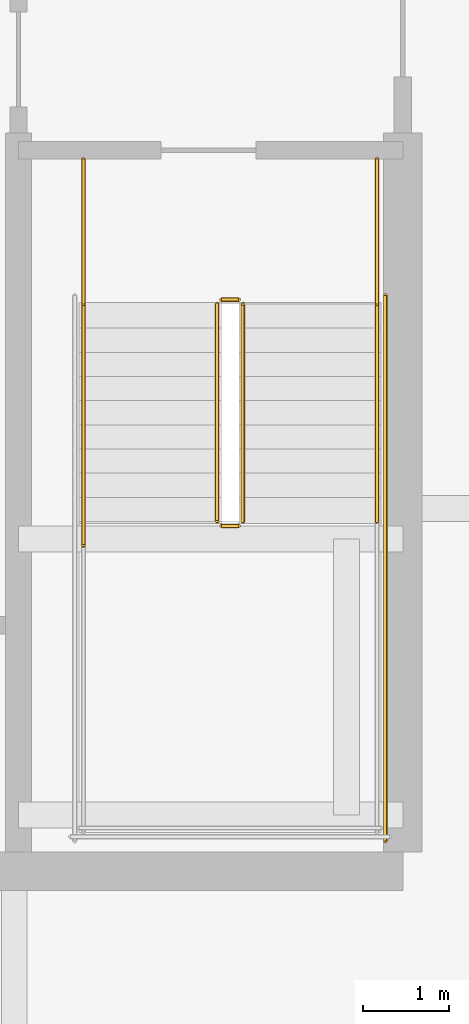
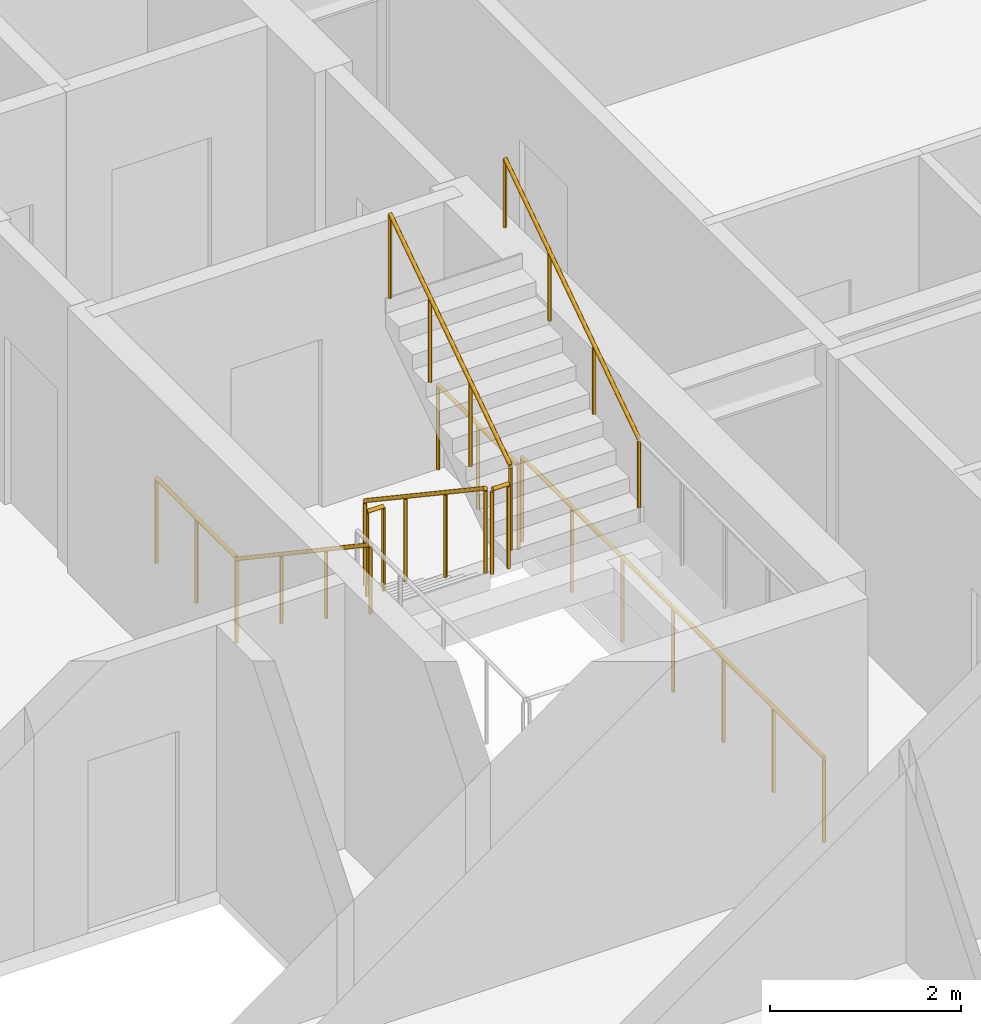
# One storey, part 37 of 40: 9 railings.
"""IFC4 building model written with IfcOpenShell, lengths in metres."""

import ifcopenshell
import ifcopenshell.guid

model = None  # the IFC model being written
_history = None  # IfcOwnerHistory: only IFC2X3 demands one
_inside = {}  # id of a spatial element -> (the spatial element, [elements in it])
_under = {}  # id of a project, library or spatial element -> (it, [spatial elements below it])
_declared = {}  # id of a project -> (the project, [libraries it declares])
_typed = {}  # id of a type object -> (the type object, [elements of that type])
_made_of = {}  # id of a material, layer set ... -> (it, [elements and type objects made of it])


def new_model(schema):
    """Start an empty IFC model of exactly this schema.

    Asked for "IFC4X3", IfcOpenShell would pick the latest addendum, in which some entities
    have other attributes; the version numbers below select the first issue.
    IFC2X3 requires an IfcOwnerHistory on every rooted entity: one is made here for all.
    """
    global model, _history
    if schema == "IFC4X3":
        model = ifcopenshell.file(schema_version=(4, 3, 0, 0))
    else:
        model = ifcopenshell.file(schema=schema)
    _inside.clear()
    _under.clear()
    _declared.clear()
    _typed.clear()
    _made_of.clear()
    _history = None
    if model.schema == "IFC2X3":
        org = make("IfcOrganization", Name="unknown")
        user = make(
            "IfcPersonAndOrganization",
            ThePerson=make("IfcPerson", FamilyName="unknown"),
            TheOrganization=org,
        )
        app = make(
            "IfcApplication",
            ApplicationDeveloper=org,
            Version="unknown",
            ApplicationFullName="unknown",
            ApplicationIdentifier="unknown",
        )
        _history = make(
            "IfcOwnerHistory",
            OwningUser=user,
            OwningApplication=app,
            ChangeAction="ADDED",
            CreationDate=0,
        )
    return model


def make(cls, **values):
    """One entity of the class cls with the attributes given. An attribute that is None is left unset."""
    return model.create_entity(
        cls, **{name: value for name, value in values.items() if value is not None}
    )


def rooted(cls, **values):
    """An entity with a GlobalId (a new one), such as an element, a storey or a relation."""
    return make(cls, GlobalId=ifcopenshell.guid.new(), OwnerHistory=_history, **values)


def si_unit(unit_type, name, prefix=None):
    """IfcSIUnit, for example si_unit("LENGTHUNIT", "METRE", prefix="MILLI")."""
    return make("IfcSIUnit", UnitType=unit_type, Prefix=prefix, Name=name)


def assignment(units):
    """IfcUnitAssignment: the units of a project."""
    return None if units is None else make("IfcUnitAssignment", Units=units)


def point(xyz):
    """IfcCartesianPoint."""
    return None if xyz is None else make("IfcCartesianPoint", Coordinates=xyz)


def direction(xyz):
    """IfcDirection."""
    return None if xyz is None else make("IfcDirection", DirectionRatios=xyz)


def frame(location, z_axis=None, x_axis=None):
    """IfcAxis2Placement3D, a coordinate frame: its origin and axes. An axis left out is left unset."""
    return make(
        "IfcAxis2Placement3D",
        Location=point(location),
        Axis=direction(z_axis),
        RefDirection=direction(x_axis),
    )


def frame_2d(location, x_axis=None):
    """IfcAxis2Placement2D, a coordinate frame in the plane: its origin and x axis."""
    return make(
        "IfcAxis2Placement2D", Location=point(location), RefDirection=direction(x_axis)
    )


def origin():
    """The frame at (0, 0, 0) with its axes left unset."""
    return frame((0.0, 0.0, 0.0))


def origin_2d():
    """The frame at (0, 0) in the plane with its x axis left unset."""
    return frame_2d((0.0, 0.0))


def place(relative_to, where):
    """IfcLocalPlacement: puts the frame where relative to a parent placement (None: the world)."""
    return make(
        "IfcLocalPlacement", PlacementRelTo=relative_to, RelativePlacement=where
    )


def context(
    kind, dimensions, precision=None, world=None, true_north=None, identifier=None
):
    """IfcGeometricRepresentationContext, for example the 3D "Model" context."""
    return make(
        "IfcGeometricRepresentationContext",
        ContextIdentifier=identifier,
        ContextType=kind,
        CoordinateSpaceDimension=dimensions,
        Precision=precision,
        WorldCoordinateSystem=world,
        TrueNorth=true_north,
    )


def subcontext(parent, identifier, kind, view, scale=None):
    """IfcGeometricRepresentationSubContext, for example "Body" below "Model"."""
    return make(
        "IfcGeometricRepresentationSubContext",
        ContextIdentifier=identifier,
        ContextType=kind,
        ParentContext=parent,
        TargetScale=scale,
        TargetView=view,
    )


def project(units=None, contexts=None):
    """IfcProject with its units and contexts."""
    return rooted(
        "IfcProject",
        Name="project",
        RepresentationContexts=contexts,
        UnitsInContext=assignment(units),
    )


def spatial(cls, under=None, at=None, **own):
    """A site, building, storey or space (cls), placed at a placement, below another one or the project."""
    s = rooted(cls, ObjectPlacement=at, **own)
    if under is not None:
        _under.setdefault(under.id(), (under, []))[1].append(s)
    return s


def profile(cls, at=None, kind="AREA", **sizes):
    """A parametric profile (cls). Its sizes go by their IFC names, for example OverallWidth=200.0."""
    return make(cls, ProfileType=kind, Position=at, **sizes)


def circle(**sizes):
    """IfcCircleProfileDef."""
    return profile("IfcCircleProfileDef", **sizes)


def extrude(swept, where, along, depth):
    """IfcExtrudedAreaSolid: the profile swept, set in the frame where, extruded along a direction by depth."""
    return make(
        "IfcExtrudedAreaSolid",
        SweptArea=swept,
        Position=where,
        ExtrudedDirection=direction(along),
        Depth=depth,
    )


def shape(context_of_items, identifier, shape_type, items):
    """IfcShapeRepresentation: the items that make up one representation, for example the "Body"."""
    return make(
        "IfcShapeRepresentation",
        ContextOfItems=context_of_items,
        RepresentationIdentifier=identifier,
        RepresentationType=shape_type,
        Items=items,
    )


def material(Name=None, Category=None):
    """IfcMaterial."""
    return make("IfcMaterial", Name=Name, Category=Category)


def made_of(thing, what):
    """Note that an element or type object is made of a material, layer set ...; save() writes the relation."""
    if what is not None:
        _made_of.setdefault(what.id(), (what, []))[1].append(thing)
    return thing


def type_object(cls, material=None, **own):
    """A type object (cls), such as IfcWallType, which elements share."""
    return made_of(rooted(cls, **own), material)


def element(
    cls,
    number,
    at=None,
    inside=None,
    cuts=None,
    type_object=None,
    material=None,
    context=None,
    identifier="Body",
    shape_type=None,
    held_by="IfcProductDefinitionShape",
    body=None,
    shapes=None,
    **own,
):
    """One element of the class cls, such as IfcWall. Its Tag is "e" and its number.

    at: its placement. inside: the storey or other place that contains it. cuts: it is an
    opening in that element (IfcRelVoidsElement). A single representation is given by context,
    identifier, shape_type and body (its items); several are given by shapes. held_by: the class
    of the entity that holds the representations. save() writes the other relations.
    """
    e = rooted(cls, Tag="e%d" % number, ObjectPlacement=at, **own)
    if body is not None:
        shapes = [shape(context, identifier, shape_type, body)]
    if shapes is not None:
        e.Representation = make(held_by, Representations=shapes)
    if inside is not None:
        _inside.setdefault(inside.id(), (inside, []))[1].append(e)
    if cuts is not None:
        rooted(
            "IfcRelVoidsElement", RelatingBuildingElement=cuts, RelatedOpeningElement=e
        )
    if type_object is not None:
        _typed.setdefault(type_object.id(), (type_object, []))[1].append(e)
    return made_of(e, material)


def aggregate(whole, parts):
    """IfcRelAggregates: a whole, such as a stair, and the parts it consists of."""
    return rooted("IfcRelAggregates", RelatingObject=whole, RelatedObjects=parts)


def save(model, path):
    """Write the relations noted so far, then the file.

    IfcRelAggregates (storeys below a building ...), IfcRelContainedInSpatialStructure (elements
    in a storey), IfcRelDefinesByType, IfcRelAssociatesMaterial and IfcRelDeclares: one each for
    every whole, place, type object, material and project.
    """
    for whole, parts in _under.values():
        aggregate(whole, parts)
    for where, things in _inside.values():
        rooted(
            "IfcRelContainedInSpatialStructure",
            RelatedElements=things,
            RelatingStructure=where,
        )
    for kind, things in _typed.values():
        rooted("IfcRelDefinesByType", RelatedObjects=things, RelatingType=kind)
    for what, things in _made_of.values():
        rooted("IfcRelAssociatesMaterial", RelatedObjects=things, RelatingMaterial=what)
    for by, libraries in _declared.values():
        rooted("IfcRelDeclares", RelatingContext=by, RelatedDefinitions=libraries)
    model.write(path)


model = new_model("IFC4")

# Units and contexts
model_context = context("Model", 3, precision=1e-05, world=origin(), true_north=direction((0.0, 1.0)))
body_context = subcontext(model_context, "Body", "Model", "MODEL_VIEW")
ifc_project = project(units=[si_unit("LENGTHUNIT", "METRE"), si_unit("AREAUNIT", "SQUARE_METRE"), si_unit("VOLUMEUNIT", "CUBIC_METRE"), si_unit("PLANEANGLEUNIT", "RADIAN"), si_unit("MASSUNIT", "GRAM", prefix="KILO")], contexts=[model_context])

# Site, building, storey
site_placement = place(None, origin())
site = spatial("IfcSite", under=ifc_project, at=site_placement, CompositionType="ELEMENT")
building_placement = place(site_placement, origin())
building = spatial("IfcBuilding", under=site, at=building_placement, Name="Serunith Strait Residences", CompositionType="ELEMENT")
storey_placement = place(building_placement, frame((0.0, 0.0, 105.449951171875)))
storey = spatial("IfcBuildingStorey", under=building, at=storey_placement, Name="L26", CompositionType="ELEMENT", Elevation=105.449951171875)

# Railings
ifc_material = material(Name="Brushed stainless steel 316L", Category="steel")
railing_type_1 = type_object("IfcRailingType", Name="RLG-STAIR-GUARD", PredefinedType="BALUSTRADE", material=ifc_material)
railing_1_placement = place(storey_placement, frame((39.25, 23.3701171875, 0.1875)))
element("IfcRailing", 1, at=railing_1_placement, inside=storey, type_object=railing_type_1, Name="L26 ST-2 stair guard 1", PredefinedType="BALUSTRADE", context=body_context, shape_type="SweptSolid", body=[
    extrude(circle(Radius=0.02392578125, at=origin_2d()), frame((0.0, -0.001708984375, 1.0771484375), z_axis=(0.0, -0.830909170722, 0.55640807867), x_axis=(1.0, 0.0, 0.0)), (0.0, 0.0, 1.0), 3.02880859375),
    extrude(circle(Radius=0.02099609375, at=origin_2d()), origin(), (0.0, 0.0, 1.0), 1.050048828125),
    extrude(circle(Radius=0.02099609375, at=origin_2d()), frame((0.0, -0.840087890625, 0.5625)), (0.0, 0.0, 1.0), 1.050048828125),
    extrude(circle(Radius=0.02099609375, at=origin_2d()), frame((0.0, -1.679931640625, 1.125)), (0.0, 0.0, 1.0), 1.050048828125),
    extrude(circle(Radius=0.02099609375, at=origin_2d()), frame((0.0, -2.52001953125, 1.6875)), (0.0, 0.0, 1.0), 1.050048828125),
])
railing_2_placement = place(storey_placement, frame((39.300048828125, 20.800048828125, 1.875)))
element("IfcRailing", 2, at=railing_2_placement, inside=storey, type_object=railing_type_1, Name="L26 ST-2 stair guard 2", PredefinedType="BALUSTRADE", context=body_context, shape_type="SweptSolid", body=[
    extrude(circle(Radius=0.02392578125, at=origin_2d()), frame((0.001953125, 0.0, 1.076171875), z_axis=(1.0, 0.0, 0.0), x_axis=(0.0, 1.0, 0.0)), (0.0, 0.0, 1.0), 0.196044921875),
    extrude(circle(Radius=0.02099609375, at=origin_2d()), origin(), (0.0, 0.0, 1.0), 1.050048828125),
    extrude(circle(Radius=0.02099609375, at=origin_2d()), frame((0.199951171875, 0.0, 0.0)), (0.0, 0.0, 1.0), 1.050048828125),
])
railing_3_placement = place(storey_placement, frame((39.550048828125, 20.85009765625, 2.0625)))
element("IfcRailing", 3, at=railing_3_placement, inside=storey, type_object=railing_type_1, Name="L26 ST-2 stair guard 6", PredefinedType="BALUSTRADE", context=body_context, shape_type="SweptSolid", body=[
    extrude(circle(Radius=0.02392578125, at=origin_2d()), frame((0.0, 0.001708984375, 1.0771484375), z_axis=(0.0, 0.830909170722, 0.55640807867), x_axis=(-1.0, 0.0, 0.0)), (0.0, 0.0, 1.0), 3.02880859375),
    extrude(circle(Radius=0.02099609375, at=origin_2d()), origin(), (0.0, 0.0, 1.0), 1.050048828125),
    extrude(circle(Radius=0.02099609375, at=origin_2d()), frame((0.0, 0.840087890625, 0.5625)), (0.0, 0.0, 1.0), 1.050048828125),
    extrude(circle(Radius=0.02099609375, at=origin_2d()), frame((0.0, 1.679931640625, 1.125)), (0.0, 0.0, 1.0), 1.050048828125),
    extrude(circle(Radius=0.02099609375, at=origin_2d()), frame((0.0, 2.52001953125, 1.6875)), (0.0, 0.0, 1.0), 1.050048828125),
])
railing_4_placement = place(storey_placement, frame((39.300048828125, 23.419921875, 0.0)))
element("IfcRailing", 4, at=railing_4_placement, inside=storey, type_object=railing_type_1, Name="L26 ST-2 stair guard 7", PredefinedType="BALUSTRADE", context=body_context, shape_type="SweptSolid", body=[
    extrude(circle(Radius=0.02392578125, at=origin_2d()), frame((0.001953125, 0.0, 1.076171875), z_axis=(1.0, 0.0, 0.0), x_axis=(0.0, 1.0, 0.0)), (0.0, 0.0, 1.0), 0.196044921875),
    extrude(circle(Radius=0.02099609375, at=origin_2d()), origin(), (0.0, 0.0, 1.0), 1.050048828125),
    extrude(circle(Radius=0.02099609375, at=origin_2d()), frame((0.199951171875, 0.0, 0.0)), (0.0, 0.0, 1.0), 1.050048828125),
])
for number, where, name in (
    (5, (37.699951171875, 25.050048828125, 0.0), "L26 ST-2 stair guard 8"),
    (6, (41.10009765625, 25.050048828125, 0.0), "L26 ST-2 stair guard 9"),
):
    element("IfcRailing", number, at=place(storey_placement, frame(where)), inside=storey, type_object=railing_type_1, Name=name, PredefinedType="BALUSTRADE", context=body_context, shape_type="SweptSolid", body=[
        extrude(circle(Radius=0.02392578125, at=origin_2d()), frame((0.0, -0.001953125, 1.076171875), z_axis=(0.0, -1.0, 0.0), x_axis=(1.0, 0.0, 0.0)), (0.0, 0.0, 1.0), 1.676025390625),
        extrude(circle(Radius=0.02099609375, at=origin_2d()), origin(), (0.0, 0.0, 1.0), 1.050048828125),
        extrude(circle(Radius=0.02099609375, at=origin_2d()), frame((0.0, -0.83984375, 0.0)), (0.0, 0.0, 1.0), 1.050048828125),
        extrude(circle(Radius=0.02099609375, at=origin_2d()), frame((0.0, -1.679931640625, 0.0)), (0.0, 0.0, 1.0), 1.050048828125),
    ])
railing_5_placement = place(storey_placement, frame((41.199951171875, 23.469970703125, 0.0)))
element("IfcRailing", 7, at=railing_5_placement, inside=storey, type_object=railing_type_1, Name="L26 ST-2 stair guard 11", PredefinedType="BALUSTRADE", context=body_context, shape_type="SweptSolid", body=[
    extrude(circle(Radius=0.02392578125, at=origin_2d()), frame((0.0, -0.001953125, 1.076171875), z_axis=(0.0, -1.0, 0.0), x_axis=(1.0, 0.0, 0.0)), (0.0, 0.0, 1.0), 6.316162109375),
    extrude(circle(Radius=0.02099609375, at=origin_2d()), origin(), (0.0, 0.0, 1.0), 1.050048828125),
    extrude(circle(Radius=0.02099609375, at=origin_2d()), frame((0.0, -1.05322265625, 0.0)), (0.0, 0.0, 1.0), 1.050048828125),
    extrude(circle(Radius=0.02099609375, at=origin_2d()), frame((0.0, -2.106689453125, 0.0)), (0.0, 0.0, 1.0), 1.050048828125),
    extrude(circle(Radius=0.02099609375, at=origin_2d()), frame((0.0, -3.16015625, 0.0)), (0.0, 0.0, 1.0), 1.050048828125),
    extrude(circle(Radius=0.02099609375, at=origin_2d()), frame((0.0, -4.21337890625, 0.0)), (0.0, 0.0, 1.0), 1.050048828125),
    extrude(circle(Radius=0.02099609375, at=origin_2d()), frame((0.0, -5.2666015625, 0.0)), (0.0, 0.0, 1.0), 1.050048828125),
    extrude(circle(Radius=0.02099609375, at=origin_2d()), frame((0.0, -6.320068359375, 0.0)), (0.0, 0.0, 1.0), 1.050048828125),
])
railing_type_2 = type_object("IfcRailingType", Name="RLG-STAIR-HR", PredefinedType="HANDRAIL", material=ifc_material)
railing_6_placement = place(storey_placement, frame((37.699951171875, 23.3701171875, 0.1875)))
element("IfcRailing", 8, at=railing_6_placement, inside=storey, type_object=railing_type_2, Name="L26 ST-2 stair handrail 1", PredefinedType="HANDRAIL", context=body_context, shape_type="SweptSolid", body=[
    extrude(circle(Radius=0.02392578125, at=origin_2d()), frame((0.0, -0.001708984375, 0.876953125), z_axis=(0.0, -0.830208209119, 0.557453432594), x_axis=(1.0, 0.0, 0.0)), (0.0, 0.0, 1.0), 3.36865234375),
    extrude(circle(Radius=0.02099609375, at=origin_2d()), origin(), (0.0, 0.0, 1.0), 0.849853515625),
    extrude(circle(Radius=0.02099609375, at=origin_2d()), frame((0.0, -0.933349609375, 0.626708984375)), (0.0, 0.0, 1.0), 0.849853515625),
    extrude(circle(Radius=0.02099609375, at=origin_2d()), frame((0.0, -1.86669921875, 1.25341796875)), (0.0, 0.0, 1.0), 0.849853515625),
    extrude(circle(Radius=0.02099609375, at=origin_2d()), frame((0.0, -2.800048828125, 1.880126953125)), (0.0, 0.0, 1.0), 0.849853515625),
])
railing_7_placement = place(storey_placement, frame((41.10009765625, 20.85009765625, 2.0625)))
element("IfcRailing", 9, at=railing_7_placement, inside=storey, type_object=railing_type_2, Name="L26 ST-2 stair handrail 2", PredefinedType="HANDRAIL", context=body_context, shape_type="SweptSolid", body=[
    extrude(circle(Radius=0.02392578125, at=origin_2d()), frame((0.0, 0.001708984375, 0.876953125), z_axis=(0.0, 0.830185712471, 0.557486935101), x_axis=(-1.0, 0.0, 0.0)), (0.0, 0.0, 1.0), 3.368408203125),
    extrude(circle(Radius=0.02099609375, at=origin_2d()), origin(), (0.0, 0.0, 1.0), 0.849853515625),
    extrude(circle(Radius=0.02099609375, at=origin_2d()), frame((0.0, 0.933349609375, 0.626708984375)), (0.0, 0.0, 1.0), 0.849853515625),
    extrude(circle(Radius=0.02099609375, at=origin_2d()), frame((0.0, 1.866455078125, 1.25341796875)), (0.0, 0.0, 1.0), 0.849853515625),
    extrude(circle(Radius=0.02099609375, at=origin_2d()), frame((0.0, 2.7998046875, 1.880126953125)), (0.0, 0.0, 1.0), 0.849853515625),
])

save(model, "model.ifc")
